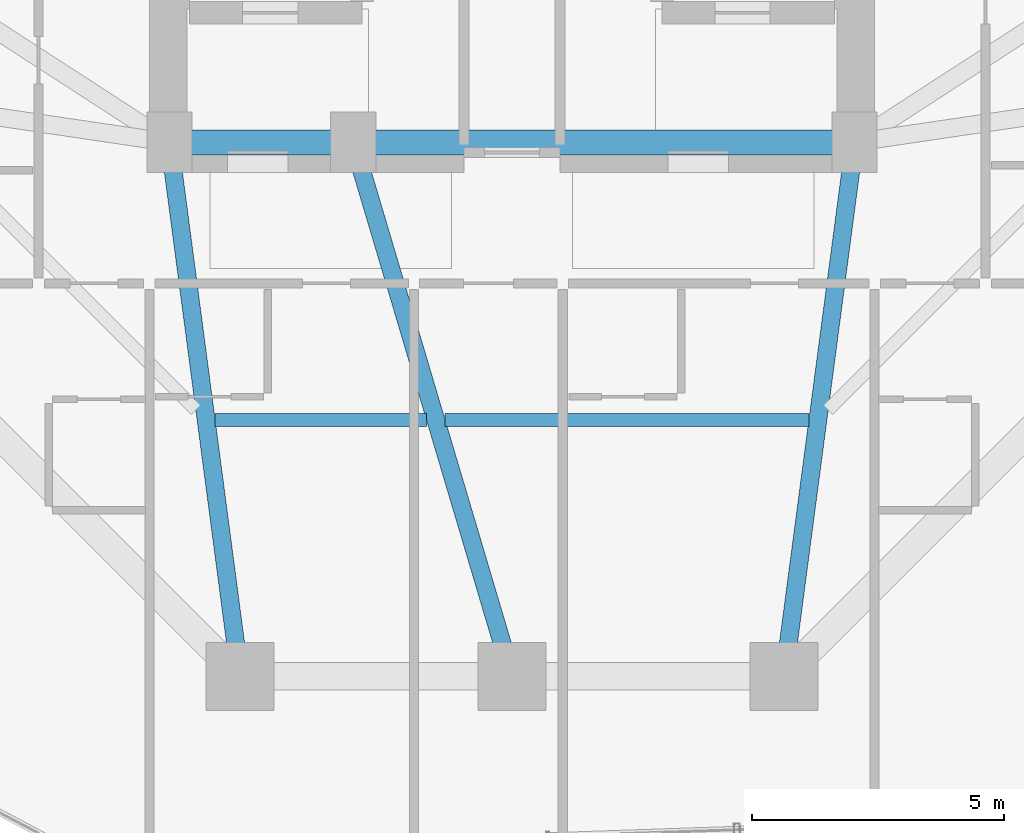
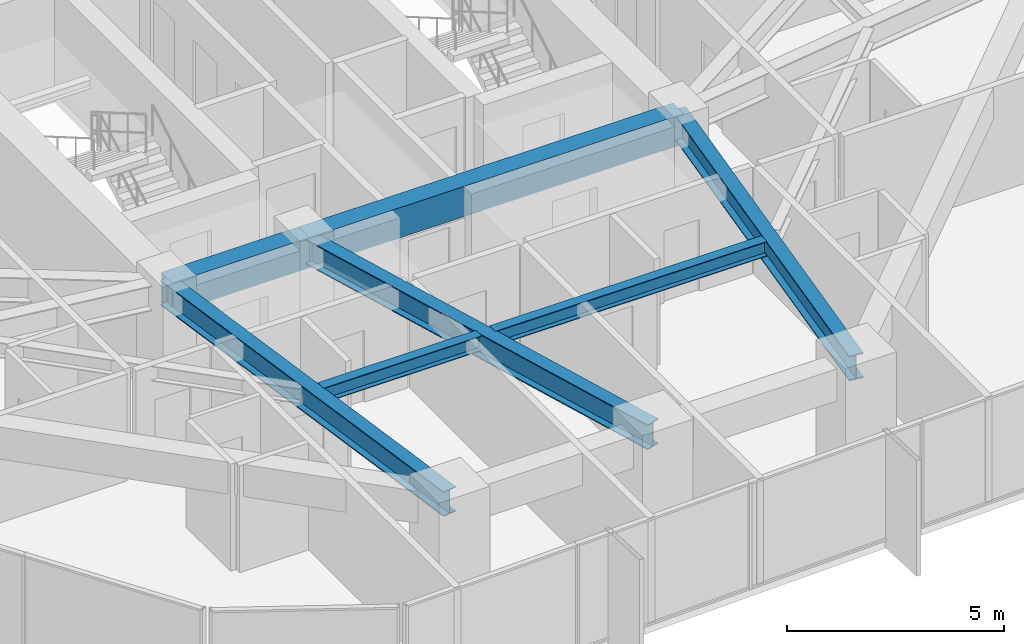
# One storey, part 9 of 39: 7 beams.
"""IFC4 building model written with IfcOpenShell, lengths in metres."""

from ifc_helpers import new_model, si_unit, direction, frame, origin, origin_2d, place, context, subcontext, project, spatial, rectangle, i_section, extrude, material, material_profile, profile_set, type_object, element, save


model = new_model("IFC4")

# Units and contexts
model_context = context("Model", 3, precision=1e-05, world=origin(), true_north=direction((0.0, 1.0)))
body_context = subcontext(model_context, "Body", "Model", "MODEL_VIEW")
ifc_project = project(units=[si_unit("LENGTHUNIT", "METRE"), si_unit("AREAUNIT", "SQUARE_METRE"), si_unit("VOLUMEUNIT", "CUBIC_METRE"), si_unit("PLANEANGLEUNIT", "RADIAN"), si_unit("MASSUNIT", "GRAM", prefix="KILO")], contexts=[model_context])

# Site, building, storey
site_placement = place(None, origin())
site = spatial("IfcSite", under=ifc_project, at=site_placement, CompositionType="ELEMENT")
building_placement = place(site_placement, origin())
building = spatial("IfcBuilding", under=site, at=building_placement, Name="Veraguas Prism Commons", CompositionType="ELEMENT")
storey_placement = place(building_placement, frame((0.0, 0.0, 30.550048828125)))
storey = spatial("IfcBuildingStorey", under=building, at=storey_placement, Name="L07", CompositionType="ELEMENT", Elevation=30.550048828125)

# Beams
ifc_material_1 = material(Name="Concrete C50/60", Category="concrete")
ifc_material_profile_1 = material_profile(ifc_material_1, rectangle(XDim=0.5, YDim=0.85009765625, at=origin_2d()), Name="RC500X850")
ifc_profile_set_1 = profile_set([ifc_material_profile_1], Name="Concrete C50/60")
beam_type_1 = type_object("IfcBeamType", Name="Core Coupling Beam RC 500x850", PredefinedType="BEAM", material=ifc_profile_set_1)
beam_1_placement = place(storey_placement, frame((17.199951171875, 17.0, 2.574951171875), z_axis=(1.0, 0.0, 0.0), x_axis=(0.0, 1.0, 0.0)))
element("IfcBeam", 1, at=beam_1_placement, inside=storey, type_object=beam_type_1, Name="Core Coupling Beam L07-CRS1", PredefinedType="BEAM", context=body_context, shape_type="SweptSolid", body=[
    extrude(rectangle(XDim=0.5, YDim=0.85009765625, at=origin_2d()), origin(), (0.0, 0.0, 1.0), 3.650146484375),
])
beam_2_placement = place(storey_placement, frame((20.85009765625, 17.0, 2.574951171875), z_axis=(1.0, 0.0, 0.0), x_axis=(0.0, 1.0, 0.0)))
element("IfcBeam", 2, at=beam_2_placement, inside=storey, type_object=beam_type_1, Name="Core Coupling Beam L07-CRS2", PredefinedType="BEAM", context=body_context, shape_type="SweptSolid", body=[
    extrude(rectangle(XDim=0.5, YDim=0.85009765625, at=origin_2d()), origin(), (0.0, 0.0, 1.0), 9.949951171875),
])
ifc_material_2 = material(Name="Steel ASTM A992 Grade 50", Category="steel")
ifc_material_profile_2 = material_profile(ifc_material_2, i_section(OverallWidth=0.260986328125, OverallDepth=0.419921875, WebThickness=0.01171875, FlangeThickness=0.019287109375, at=origin_2d()), Name="W410X114")
ifc_profile_set_2 = profile_set([ifc_material_profile_2], Name="Steel ASTM A992 Grade 50")
beam_type_2 = type_object("IfcBeamType", Name="Lower Floor Joist W410x114", PredefinedType="JOIST", material=ifc_profile_set_2)
beam_3_placement = place(storey_placement, frame((18.10546875, 11.488037109375, 2.7900390625), z_axis=(1.0, 0.0, 0.0), x_axis=(0.0, 1.0, 0.0)))
element("IfcBeam", 3, at=beam_3_placement, inside=storey, type_object=beam_type_2, Name="Composite Floor Joist L07-JS10", PredefinedType="JOIST", context=body_context, shape_type="SweptSolid", body=[
    extrude(i_section(OverallWidth=0.260986328125, OverallDepth=0.419921875, WebThickness=0.01171875, FlangeThickness=0.019287109375, at=origin_2d()), origin(), (0.0, 0.0, 1.0), 4.198974609375),
])
beam_4_placement = place(storey_placement, frame((22.671630859375, 11.488037109375, 2.7900390625), z_axis=(1.0, 0.0, 0.0), x_axis=(0.0, 1.0, 0.0)))
element("IfcBeam", 4, at=beam_4_placement, inside=storey, type_object=beam_type_2, Name="Composite Floor Joist L07-JS11", PredefinedType="JOIST", context=body_context, shape_type="SweptSolid", body=[
    extrude(i_section(OverallWidth=0.260986328125, OverallDepth=0.419921875, WebThickness=0.01171875, FlangeThickness=0.019287109375, at=origin_2d()), origin(), (0.0, 0.0, 1.0), 7.222900390625),
])
ifc_material_profile_3 = material_profile(ifc_material_2, i_section(OverallWidth=0.35595703125, OverallDepth=0.700927734375, WebThickness=0.016845703125, FlangeThickness=0.02734375, at=origin_2d()), Name="W690X240")
ifc_profile_set_3 = profile_set([ifc_material_profile_3], Name="Steel ASTM A992 Grade 50")
beam_type_3 = type_object("IfcBeamType", Name="Zone 1 Radial Girder W690x240", PredefinedType="BEAM", material=ifc_profile_set_3)
beam_5_placement = place(storey_placement, frame((18.60009765625, 6.39990234375, 2.6494140625), z_axis=(-0.130950648891, 0.991388888154, 0.0), x_axis=(-0.991388888154, -0.130950648891, 0.0)))
element("IfcBeam", 5, at=beam_5_placement, inside=storey, type_object=beam_type_3, Name="Radial Floor Girder L07-RD10", PredefinedType="BEAM", context=body_context, shape_type="SweptSolid", body=[
    extrude(i_section(OverallWidth=0.35595703125, OverallDepth=0.700927734375, WebThickness=0.016845703125, FlangeThickness=0.02734375, at=origin_2d()), origin(), (0.0, 0.0, 1.0), 10.692138671875),
])
beam_6_placement = place(storey_placement, frame((24.0, 6.39990234375, 2.6494140625), z_axis=(-0.28484745997, 0.958572858237, 0.0), x_axis=(-0.958572858237, -0.28484745997, 0.0)))
element("IfcBeam", 6, at=beam_6_placement, inside=storey, type_object=beam_type_3, Name="Radial Floor Girder L07-RD11", PredefinedType="BEAM", context=body_context, shape_type="SweptSolid", body=[
    extrude(i_section(OverallWidth=0.35595703125, OverallDepth=0.700927734375, WebThickness=0.016845703125, FlangeThickness=0.02734375, at=origin_2d()), origin(), (0.0, 0.0, 1.0), 11.05810546875),
])
beam_7_placement = place(storey_placement, frame((29.39990234375, 6.39990234375, 2.6494140625), z_axis=(0.130950648891, 0.991388888154, 0.0), x_axis=(-0.991388888154, 0.130950648891, 0.0)))
element("IfcBeam", 7, at=beam_7_placement, inside=storey, type_object=beam_type_3, Name="Radial Floor Girder L07-RD12", PredefinedType="BEAM", context=body_context, shape_type="SweptSolid", body=[
    extrude(i_section(OverallWidth=0.35595703125, OverallDepth=0.700927734375, WebThickness=0.016845703125, FlangeThickness=0.02734375, at=origin_2d()), origin(), (0.0, 0.0, 1.0), 10.692138671875),
])

save(model, "model.ifc")
